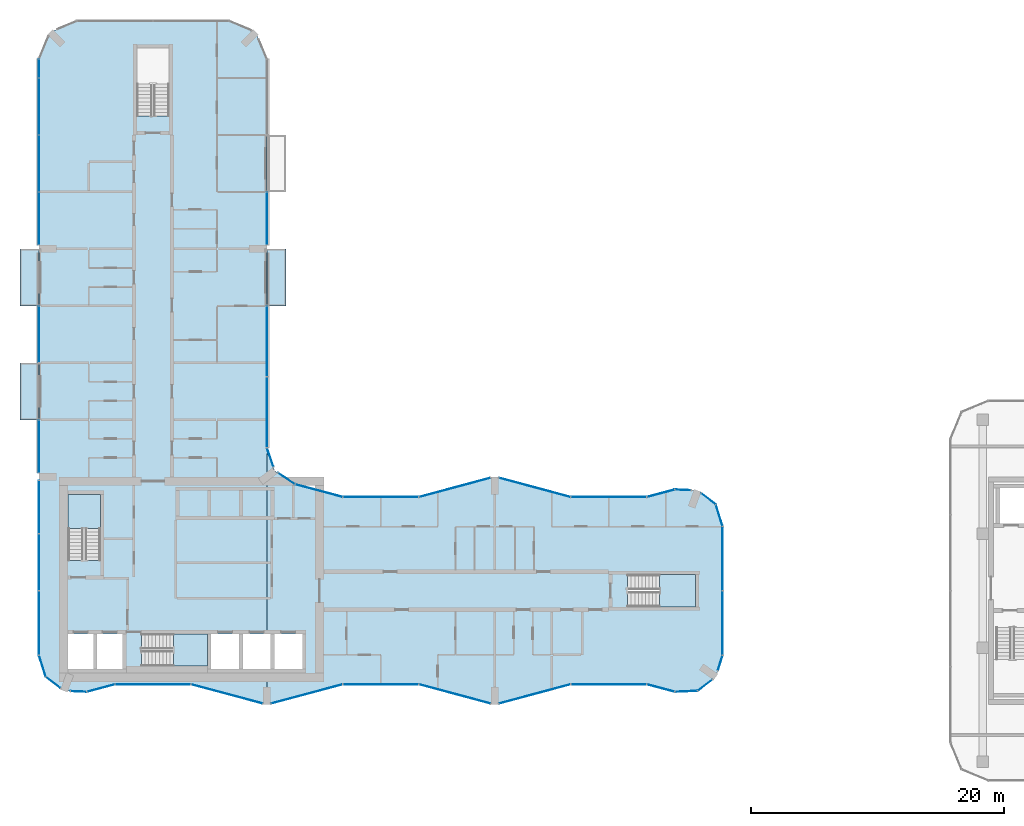
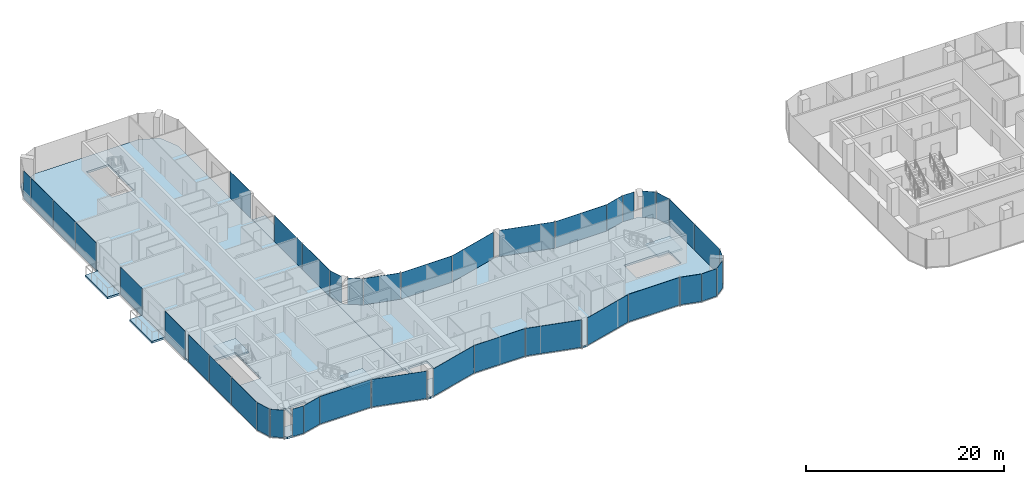
# One storey, part 11 of 23: 40 plates, 8 slabs, 36 elements without a shape of their own.
"""IFC4 building model written with IfcOpenShell, lengths in metres."""

from ifc_helpers import new_model, si_unit, direction, frame, origin, origin_2d, place, context, subcontext, project, spatial, polyline, rectangle, outline, extrude, material, layer, layer_set, type_object, element, aggregate, save


model = new_model("IFC4")

# Units and contexts
model_context = context("Model", 3, precision=1e-05, world=origin(), true_north=direction((0.0, 1.0)))
body_context = subcontext(model_context, "Body", "Model", "MODEL_VIEW")
ifc_project = project(units=[si_unit("LENGTHUNIT", "METRE"), si_unit("AREAUNIT", "SQUARE_METRE"), si_unit("VOLUMEUNIT", "CUBIC_METRE"), si_unit("PLANEANGLEUNIT", "RADIAN"), si_unit("MASSUNIT", "GRAM", prefix="KILO")], contexts=[model_context])

# Site, building, storey
site_placement = place(None, origin())
site = spatial("IfcSite", under=ifc_project, at=site_placement, CompositionType="ELEMENT")
building_placement = place(site_placement, origin())
building = spatial("IfcBuilding", under=site, at=building_placement, Name="Plateau Cross Towers", CompositionType="ELEMENT")
storey_placement = place(building_placement, frame((0.0, 0.0, 95.800048828125)))
storey = spatial("IfcBuildingStorey", under=building, at=storey_placement, Name="L24", CompositionType="ELEMENT", Elevation=95.800048828125)

# Slabs
ifc_material_1 = material(Name="Concrete C40/50", Category="concrete")
ifc_layer_1 = layer(ifc_material_1, 0.25)
ifc_layer_set_1 = layer_set([ifc_layer_1], Name="Concrete C40/50")
slab_type_1 = type_object("IfcSlabType", Name="Balcony slab 250", PredefinedType="FLOOR", material=ifc_layer_set_1)
slab_1_placement = place(storey_placement, frame((0.0, 0.0, -0.25)))
element("IfcSlab", 1, at=slab_1_placement, inside=storey, type_object=slab_type_1, Name="Balcony slab A-BAL-L24-01", PredefinedType="FLOOR", context=body_context, shape_type="SweptSolid", body=[
    extrude(outline(polyline([(0.0, 22.5), (0.0, 27.0), (-1.5, 27.0), (-1.5, 22.5), (0.0, 22.5)])), origin(), (0.0, 0.0, 1.0), 0.25),
])
slab_2_placement = place(storey_placement, frame((0.0, 0.0, -0.25)))
element("IfcSlab", 2, at=slab_2_placement, inside=storey, type_object=slab_type_1, Name="Balcony slab A-BAL-L24-02", PredefinedType="FLOOR", context=body_context, shape_type="SweptSolid", body=[
    extrude(outline(polyline([(0.0, 31.5), (0.0, 36.0), (-1.5, 36.0), (-1.5, 31.5), (0.0, 31.5)])), origin(), (0.0, 0.0, 1.0), 0.25),
])
slab_3_placement = place(storey_placement, frame((0.0, 0.0, -0.25)))
element("IfcSlab", 3, at=slab_3_placement, inside=storey, type_object=slab_type_1, Name="Balcony slab A-BAL-L24-03", PredefinedType="FLOOR", context=body_context, shape_type="SweptSolid", body=[
    extrude(outline(polyline([(19.5, 31.5), (19.5, 36.0), (18.0, 36.0), (18.0, 31.5), (19.5, 31.5)])), origin(), (0.0, 0.0, 1.0), 0.25),
])

# Curtain wall, plate
ifc_material_2 = material(Name="Dark low-iron glass", Category="glass")
ifc_layer_2 = layer(ifc_material_2, 0.239990234375)
ifc_layer_set_2 = layer_set([ifc_layer_2], Name="Dark low-iron glass")
curtain_wall_type_1 = type_object("IfcCurtainWallType", Name="Curtain wall flush unitised CW-B", PredefinedType="NOTDEFINED", material=ifc_layer_set_2)
curtain_wall_1_placement = place(storey_placement, origin())
curtain_wall_1 = element("IfcCurtainWall", 4, at=curtain_wall_1_placement, inside=storey, type_object=curtain_wall_type_1, Name="ENV/A/L24/A502_10", PredefinedType="NOTDEFINED")
ifc_layer_3 = layer(ifc_material_2, 0.031982421875)
ifc_layer_set_3 = layer_set([ifc_layer_3], Name="Dark low-iron glass")
plate_type_1 = type_object("IfcPlateType", Name="Glass panel 32 flush unitised", PredefinedType="CURTAIN_PANEL", material=ifc_layer_set_3)
plate_1_placement = place(storey_placement, frame((51.125, 1.05078125, -0.1298828125), z_axis=(0.0, 0.0, 1.0), x_axis=(0.999043701491, 0.043722791671, 0.0)))
plate_1 = element("IfcPlate", 5, at=plate_1_placement, type_object=plate_type_1, Name="CW-B panel 1", PredefinedType="CURTAIN_PANEL", context=body_context, shape_type="SweptSolid", body=[
    extrude(rectangle(XDim=1.744140625, YDim=0.031982421875, at=origin_2d()), origin(), (0.0, 0.0, 1.0), 3.3798828125),
])
aggregate(curtain_wall_1, [plate_1])

curtain_wall_2_placement = place(storey_placement, origin())
curtain_wall_2 = element("IfcCurtainWall", 6, at=curtain_wall_2_placement, inside=storey, type_object=curtain_wall_type_1, Name="ENV/A/L24/A520_11", PredefinedType="NOTDEFINED")
plate_2_placement = place(storey_placement, frame((52.60986328125, 1.5380859375, -0.1298828125), z_axis=(0.0, 0.0, 1.0), x_axis=(0.793315514529, 0.608810721331, 0.0)))
plate_2 = element("IfcPlate", 7, at=plate_2_placement, type_object=plate_type_1, Name="CW-B panel 1", PredefinedType="CURTAIN_PANEL", context=body_context, shape_type="SweptSolid", body=[
    extrude(rectangle(XDim=1.41162109375, YDim=0.031982421875, at=origin_2d()), origin(), (0.0, 0.0, 1.0), 3.3798828125),
])
aggregate(curtain_wall_2, [plate_2])

curtain_wall_3_placement = place(storey_placement, origin())
curtain_wall_3 = element("IfcCurtainWall", 8, at=curtain_wall_3_placement, inside=storey, type_object=curtain_wall_type_1, Name="ENV/A/L24/A536_27", PredefinedType="NOTDEFINED")
plate_3_placement = place(storey_placement, frame((53.805419921875, 3.292236328125, -0.1298828125), z_axis=(0.0, 0.0, 1.0), x_axis=(0.300686174994, 0.95372313811, 0.0)))
plate_3 = element("IfcPlate", 9, at=plate_3_placement, type_object=plate_type_1, Name="CW-B panel 1", PredefinedType="CURTAIN_PANEL", context=body_context, shape_type="SweptSolid", body=[
    extrude(rectangle(XDim=1.233642578125, YDim=0.031982421875, at=origin_2d()), origin(), (0.0, 0.0, 1.0), 3.3798828125),
])
aggregate(curtain_wall_3, [plate_3])

# Curtain wall, plates
curtain_wall_4_placement = place(storey_placement, origin())
curtain_wall_4 = element("IfcCurtainWall", 10, at=curtain_wall_4_placement, inside=storey, type_object=curtain_wall_type_1, Name="ENV/A/L24/A540_39", PredefinedType="NOTDEFINED")
plate_4_placement = place(storey_placement, frame((54.0, 6.45458984375, -0.1298828125), z_axis=(0.0, 0.0, 1.0), x_axis=(0.0, 1.0, 0.0)))
plate_4 = element("IfcPlate", 11, at=plate_4_placement, type_object=plate_type_1, Name="CW-B panel 1", PredefinedType="CURTAIN_PANEL", context=body_context, shape_type="SweptSolid", body=[
    extrude(rectangle(XDim=5.03076171875, YDim=0.031982421875, at=origin_2d()), origin(), (0.0, 0.0, 1.0), 3.3798828125),
])
plate_5_placement = place(storey_placement, frame((54.0, 11.54541015625, -0.1298828125), z_axis=(0.0, 0.0, 1.0), x_axis=(0.0, 1.0, 0.0)))
plate_5 = element("IfcPlate", 12, at=plate_5_placement, type_object=plate_type_1, Name="CW-B panel 2", PredefinedType="CURTAIN_PANEL", context=body_context, shape_type="SweptSolid", body=[
    extrude(rectangle(XDim=5.03076171875, YDim=0.031982421875, at=origin_2d()), origin(), (0.0, 0.0, 1.0), 3.3798828125),
])
aggregate(curtain_wall_4, [plate_4, plate_5])

# Curtain wall, plate
curtain_wall_5_placement = place(storey_placement, origin())
curtain_wall_5 = element("IfcCurtainWall", 13, at=curtain_wall_5_placement, inside=storey, type_object=curtain_wall_type_1, Name="ENV/A/L24/A540_141", PredefinedType="NOTDEFINED")
plate_6_placement = place(storey_placement, frame((53.728759765625, 14.951171875, -0.1298828125), z_axis=(0.0, 0.0, 1.0), x_axis=(-0.300686174994, 0.95372313811, 0.0)))
plate_6 = element("IfcPlate", 14, at=plate_6_placement, type_object=plate_type_1, Name="CW-B panel 1", PredefinedType="CURTAIN_PANEL", context=body_context, shape_type="SweptSolid", body=[
    extrude(rectangle(XDim=1.744140625, YDim=0.031982421875, at=origin_2d()), origin(), (0.0, 0.0, 1.0), 3.3798828125),
])
aggregate(curtain_wall_5, [plate_6])

curtain_wall_6_placement = place(storey_placement, origin())
curtain_wall_6 = element("IfcCurtainWall", 15, at=curtain_wall_6_placement, inside=storey, type_object=curtain_wall_type_1, Name="ENV/A/L24/A535_158", PredefinedType="NOTDEFINED")
plate_7_placement = place(storey_placement, frame((52.873779296875, 16.25927734375, -0.1298828125), z_axis=(0.0, 0.0, 1.0), x_axis=(-0.793315514529, 0.608810721331, 0.0)))
plate_7 = element("IfcPlate", 16, at=plate_7_placement, type_object=plate_type_1, Name="CW-B panel 1", PredefinedType="CURTAIN_PANEL", context=body_context, shape_type="SweptSolid", body=[
    extrude(rectangle(XDim=1.41162109375, YDim=0.031982421875, at=origin_2d()), origin(), (0.0, 0.0, 1.0), 3.3798828125),
])
aggregate(curtain_wall_6, [plate_7])

curtain_wall_7_placement = place(storey_placement, origin())
curtain_wall_7 = element("IfcCurtainWall", 17, at=curtain_wall_7_placement, inside=storey, type_object=curtain_wall_type_1, Name="ENV/A/L24/A515_169", PredefinedType="NOTDEFINED")
plate_8_placement = place(storey_placement, frame((50.8701171875, 16.96044921875, -0.1298828125), z_axis=(0.0, 0.0, 1.0), x_axis=(-0.999043701491, 0.043722791671, 0.0)))
plate_8 = element("IfcPlate", 18, at=plate_8_placement, type_object=plate_type_1, Name="CW-B panel 1", PredefinedType="CURTAIN_PANEL", context=body_context, shape_type="SweptSolid", body=[
    extrude(rectangle(XDim=1.233642578125, YDim=0.031982421875, at=origin_2d()), origin(), (0.0, 0.0, 1.0), 3.3798828125),
])
aggregate(curtain_wall_7, [plate_8])

curtain_wall_8_placement = place(storey_placement, origin())
curtain_wall_8 = element("IfcCurtainWall", 19, at=curtain_wall_8_placement, inside=storey, type_object=curtain_wall_type_1, Name="ENV/A/L24/A202_174", PredefinedType="NOTDEFINED")
plate_9_placement = place(storey_placement, frame((19.546630859375, 17.856689453125, -0.1298828125), z_axis=(0.0, 0.0, 1.0), x_axis=(-0.831521253329, 0.555492938984, 0.0)))
plate_9 = element("IfcPlate", 20, at=plate_9_placement, type_object=plate_type_1, Name="CW-B panel 1", PredefinedType="CURTAIN_PANEL", context=body_context, shape_type="SweptSolid", body=[
    extrude(rectangle(XDim=1.56884765625, YDim=0.031982421875, at=origin_2d()), origin(), (0.0, 0.0, 1.0), 3.3798828125),
])
aggregate(curtain_wall_8, [plate_9])

curtain_wall_9_placement = place(storey_placement, origin())
curtain_wall_9 = element("IfcCurtainWall", 21, at=curtain_wall_9_placement, inside=storey, type_object=curtain_wall_type_1, Name="ENV/A/L24/A185_188", PredefinedType="NOTDEFINED")
plate_10_placement = place(storey_placement, frame((18.26171875, 19.531005859375, -0.1298828125), z_axis=(0.0, 0.0, 1.0), x_axis=(-0.321469161574, 0.94692004845, 0.0)))
plate_10 = element("IfcPlate", 22, at=plate_10_placement, type_object=plate_type_1, Name="CW-B panel 1", PredefinedType="CURTAIN_PANEL", context=body_context, shape_type="SweptSolid", body=[
    extrude(rectangle(XDim=1.56884765625, YDim=0.031982421875, at=origin_2d()), origin(), (0.0, 0.0, 1.0), 3.3798828125),
])
aggregate(curtain_wall_9, [plate_10])

# Curtain wall, plates
curtain_wall_10_placement = place(storey_placement, origin())
curtain_wall_10 = element("IfcCurtainWall", 23, at=curtain_wall_10_placement, inside=storey, type_object=curtain_wall_type_1, Name="ENV/A/L24/A180_203", PredefinedType="NOTDEFINED")
plate_11_placement = place(storey_placement, frame((18.0, 23.09912109375, -0.1298828125), z_axis=(0.0, 0.0, 1.0), x_axis=(0.0, 1.0, 0.0)))
plate_11 = element("IfcPlate", 24, at=plate_11_placement, type_object=plate_type_1, Name="CW-B panel 1", PredefinedType="CURTAIN_PANEL", context=body_context, shape_type="SweptSolid", body=[
    extrude(rectangle(XDim=5.533935546875, YDim=0.031982421875, at=origin_2d()), origin(), (0.0, 0.0, 1.0), 3.3798828125),
])
plate_12_placement = place(storey_placement, frame((18.0, 28.693115234375, -0.1298828125), z_axis=(0.0, 0.0, 1.0), x_axis=(0.0, 1.0, 0.0)))
plate_12 = element("IfcPlate", 25, at=plate_12_placement, type_object=plate_type_1, Name="CW-B panel 2", PredefinedType="CURTAIN_PANEL", context=body_context, shape_type="SweptSolid", body=[
    extrude(rectangle(XDim=5.533935546875, YDim=0.031982421875, at=origin_2d()), origin(), (0.0, 0.0, 1.0), 3.3798828125),
])
aggregate(curtain_wall_10, [plate_11, plate_12])

# Curtain wall, plate
curtain_wall_11_placement = place(storey_placement, origin())
curtain_wall_11 = element("IfcCurtainWall", 26, at=curtain_wall_11_placement, inside=storey, type_object=curtain_wall_type_1, Name="ENV/A/L24/A180_363", PredefinedType="NOTDEFINED")
plate_13_placement = place(storey_placement, frame((18.0, 38.39501953125, -0.1298828125), z_axis=(0.0, 0.0, 1.0), x_axis=(0.0, 1.0, 0.0)))
plate_13 = element("IfcPlate", 27, at=plate_13_placement, type_object=plate_type_1, Name="CW-B panel 1", PredefinedType="CURTAIN_PANEL", context=body_context, shape_type="SweptSolid", body=[
    extrude(rectangle(XDim=4.1298828125, YDim=0.031982421875, at=origin_2d()), origin(), (0.0, 0.0, 1.0), 3.3798828125),
])
aggregate(curtain_wall_11, [plate_13])

# Curtain wall, plates
curtain_wall_12_placement = place(storey_placement, origin())
curtain_wall_12 = element("IfcCurtainWall", 28, at=curtain_wall_12_placement, inside=storey, type_object=curtain_wall_type_1, Name="ENV/A/L24/A0_510", PredefinedType="NOTDEFINED")
plate_14_placement = place(storey_placement, frame((0.0, 50.25, -0.1298828125), z_axis=(0.0, 0.0, 1.0), x_axis=(0.0, -1.0, 0.0)))
plate_14 = element("IfcPlate", 29, at=plate_14_placement, type_object=plate_type_1, Name="CW-B panel 1", PredefinedType="CURTAIN_PANEL", context=body_context, shape_type="SweptSolid", body=[
    extrude(rectangle(XDim=1.43994140625, YDim=0.031982421875, at=origin_2d()), origin(), (0.0, 0.0, 1.0), 3.3798828125),
])
plate_15_placement = place(storey_placement, frame((0.0, 47.25, -0.1298828125), z_axis=(0.0, 0.0, 1.0), x_axis=(0.0, -1.0, 0.0)))
plate_15 = element("IfcPlate", 30, at=plate_15_placement, type_object=plate_type_1, Name="CW-B panel 2", PredefinedType="CURTAIN_PANEL", context=body_context, shape_type="SweptSolid", body=[
    extrude(rectangle(XDim=4.43994140625, YDim=0.031982421875, at=origin_2d()), origin(), (0.0, 0.0, 1.0), 3.3798828125),
])
plate_16_placement = place(storey_placement, frame((0.0, 42.75, -0.1298828125), z_axis=(0.0, 0.0, 1.0), x_axis=(0.0, -1.0, 0.0)))
plate_16 = element("IfcPlate", 31, at=plate_16_placement, type_object=plate_type_1, Name="CW-B panel 3", PredefinedType="CURTAIN_PANEL", context=body_context, shape_type="SweptSolid", body=[
    extrude(rectangle(XDim=4.43994140625, YDim=0.031982421875, at=origin_2d()), origin(), (0.0, 0.0, 1.0), 3.3798828125),
])
plate_17_placement = place(storey_placement, frame((0.0, 38.39990234375, -0.1298828125), z_axis=(0.0, 0.0, 1.0), x_axis=(0.0, -1.0, 0.0)))
plate_17 = element("IfcPlate", 32, at=plate_17_placement, type_object=plate_type_1, Name="CW-B panel 4", PredefinedType="CURTAIN_PANEL", context=body_context, shape_type="SweptSolid", body=[
    extrude(rectangle(XDim=4.139892578125, YDim=0.031982421875, at=origin_2d()), origin(), (0.0, 0.0, 1.0), 3.3798828125),
])
aggregate(curtain_wall_12, [plate_14, plate_15, plate_16, plate_17])

# Curtain wall, plate
curtain_wall_13_placement = place(storey_placement, origin())
curtain_wall_13 = element("IfcCurtainWall", 33, at=curtain_wall_13_placement, inside=storey, type_object=curtain_wall_type_1, Name="ENV/A/L24/A0_315", PredefinedType="NOTDEFINED")
plate_18_placement = place(storey_placement, frame((0.0, 29.25, -0.1298828125), z_axis=(0.0, 0.0, 1.0), x_axis=(0.0, -1.0, 0.0)))
plate_18 = element("IfcPlate", 34, at=plate_18_placement, type_object=plate_type_1, Name="CW-B panel 1", PredefinedType="CURTAIN_PANEL", context=body_context, shape_type="SweptSolid", body=[
    extrude(rectangle(XDim=4.419921875, YDim=0.031982421875, at=origin_2d()), origin(), (0.0, 0.0, 1.0), 3.3798828125),
])
aggregate(curtain_wall_13, [plate_18])

curtain_wall_14_placement = place(storey_placement, origin())
curtain_wall_14 = element("IfcCurtainWall", 35, at=curtain_wall_14_placement, inside=storey, type_object=curtain_wall_type_1, Name="ENV/A/L24/A0_225", PredefinedType="NOTDEFINED")
plate_19_placement = place(storey_placement, frame((0.0, 20.39501953125, -0.1298828125), z_axis=(0.0, 0.0, 1.0), x_axis=(0.0, -1.0, 0.0)))
plate_19 = element("IfcPlate", 36, at=plate_19_placement, type_object=plate_type_1, Name="CW-B panel 1", PredefinedType="CURTAIN_PANEL", context=body_context, shape_type="SweptSolid", body=[
    extrude(rectangle(XDim=4.1298828125, YDim=0.031982421875, at=origin_2d()), origin(), (0.0, 0.0, 1.0), 3.3798828125),
])
aggregate(curtain_wall_14, [plate_19])

# Curtain wall, plates
curtain_wall_15_placement = place(storey_placement, origin())
curtain_wall_15 = element("IfcCurtainWall", 37, at=curtain_wall_15_placement, inside=storey, type_object=curtain_wall_type_1, Name="ENV/A/L24/A0_177", PredefinedType="NOTDEFINED")
plate_20_placement = place(storey_placement, frame((0.0, 15.60009765625, -0.1298828125), z_axis=(0.0, 0.0, 1.0), x_axis=(0.0, -1.0, 0.0)))
plate_20 = element("IfcPlate", 38, at=plate_20_placement, type_object=plate_type_1, Name="CW-B panel 1", PredefinedType="CURTAIN_PANEL", context=body_context, shape_type="SweptSolid", body=[
    extrude(rectangle(XDim=4.139892578125, YDim=0.031982421875, at=origin_2d()), origin(), (0.0, 0.0, 1.0), 3.3798828125),
])
plate_21_placement = place(storey_placement, frame((0.0, 11.25, -0.1298828125), z_axis=(0.0, 0.0, 1.0), x_axis=(0.0, -1.0, 0.0)))
plate_21 = element("IfcPlate", 39, at=plate_21_placement, type_object=plate_type_1, Name="CW-B panel 2", PredefinedType="CURTAIN_PANEL", context=body_context, shape_type="SweptSolid", body=[
    extrude(rectangle(XDim=4.43994140625, YDim=0.031982421875, at=origin_2d()), origin(), (0.0, 0.0, 1.0), 3.3798828125),
])
plate_22_placement = place(storey_placement, frame((0.0, 6.45458984375, -0.1298828125), z_axis=(0.0, 0.0, 1.0), x_axis=(0.0, -1.0, 0.0)))
plate_22 = element("IfcPlate", 40, at=plate_22_placement, type_object=plate_type_1, Name="CW-B panel 3", PredefinedType="CURTAIN_PANEL", context=body_context, shape_type="SweptSolid", body=[
    extrude(rectangle(XDim=5.03076171875, YDim=0.031982421875, at=origin_2d()), origin(), (0.0, 0.0, 1.0), 3.3798828125),
])
aggregate(curtain_wall_15, [plate_20, plate_21, plate_22])

# Curtain wall, plate
curtain_wall_16_placement = place(storey_placement, origin())
curtain_wall_16 = element("IfcCurtainWall", 41, at=curtain_wall_16_placement, inside=storey, type_object=curtain_wall_type_1, Name="ENV/A/L24/A0_39", PredefinedType="NOTDEFINED")
plate_23_placement = place(storey_placement, frame((0.271240234375, 3.048828125, -0.1298828125), z_axis=(0.0, 0.0, 1.0), x_axis=(0.300686174994, -0.95372313811, 0.0)))
plate_23 = element("IfcPlate", 42, at=plate_23_placement, type_object=plate_type_1, Name="CW-B panel 1", PredefinedType="CURTAIN_PANEL", context=body_context, shape_type="SweptSolid", body=[
    extrude(rectangle(XDim=1.744140625, YDim=0.031982421875, at=origin_2d()), origin(), (0.0, 0.0, 1.0), 3.3798828125),
])
aggregate(curtain_wall_16, [plate_23])

curtain_wall_17_placement = place(storey_placement, origin())
curtain_wall_17 = element("IfcCurtainWall", 43, at=curtain_wall_17_placement, inside=storey, type_object=curtain_wall_type_1, Name="ENV/A/L24/A5_22", PredefinedType="NOTDEFINED")
plate_24_placement = place(storey_placement, frame((1.126220703125, 1.74072265625, -0.1298828125), z_axis=(0.0, 0.0, 1.0), x_axis=(0.793315514529, -0.608810721331, 0.0)))
plate_24 = element("IfcPlate", 44, at=plate_24_placement, type_object=plate_type_1, Name="CW-B panel 1", PredefinedType="CURTAIN_PANEL", context=body_context, shape_type="SweptSolid", body=[
    extrude(rectangle(XDim=1.41162109375, YDim=0.031982421875, at=origin_2d()), origin(), (0.0, 0.0, 1.0), 3.3798828125),
])
aggregate(curtain_wall_17, [plate_24])

curtain_wall_18_placement = place(storey_placement, origin())
curtain_wall_18 = element("IfcCurtainWall", 45, at=curtain_wall_18_placement, inside=storey, type_object=curtain_wall_type_1, Name="ENV/A/L24/A25_11", PredefinedType="NOTDEFINED")
plate_25_placement = place(storey_placement, frame((3.1298828125, 1.03955078125, -0.1298828125), z_axis=(0.0, 0.0, 1.0), x_axis=(0.999043701491, -0.043722791671, 0.0)))
plate_25 = element("IfcPlate", 46, at=plate_25_placement, type_object=plate_type_1, Name="CW-B panel 1", PredefinedType="CURTAIN_PANEL", context=body_context, shape_type="SweptSolid", body=[
    extrude(rectangle(XDim=1.233642578125, YDim=0.031982421875, at=origin_2d()), origin(), (0.0, 0.0, 1.0), 3.3798828125),
])
aggregate(curtain_wall_18, [plate_25])

ifc_layer_4 = layer(ifc_material_2, 0.260009765625)
ifc_layer_set_4 = layer_set([ifc_layer_4], Name="Dark low-iron glass")
curtain_wall_type_2 = type_object("IfcCurtainWallType", Name="Curtain wall fluted unitised CW-A", PredefinedType="NOTDEFINED", material=ifc_layer_set_4)
curtain_wall_19_placement = place(storey_placement, origin())
curtain_wall_19 = element("IfcCurtainWall", 47, at=curtain_wall_19_placement, inside=storey, type_object=curtain_wall_type_2, Name="ENV/A/L24/A38_10", PredefinedType="NOTDEFINED")
ifc_layer_5 = layer(ifc_material_2, 0.035888671875)
ifc_layer_set_5 = layer_set([ifc_layer_5], Name="Dark low-iron glass")
plate_type_2 = type_object("IfcPlateType", Name="Glass panel 36 fluted unitised", PredefinedType="CURTAIN_PANEL", material=ifc_layer_set_5)
plate_26_placement = place(storey_placement, frame((4.887939453125, 1.30908203125, -0.1298828125), z_axis=(0.0, 0.0, 1.0), x_axis=(0.965957962328, 0.258699081978, 0.0)))
plate_26 = element("IfcPlate", 48, at=plate_26_placement, type_object=plate_type_2, Name="CW-A panel 1", PredefinedType="CURTAIN_PANEL", context=body_context, shape_type="SweptSolid", body=[
    extrude(rectangle(XDim=2.2421875, YDim=0.035888671875, at=origin_2d()), origin(), (0.0, 0.0, 1.0), 3.3798828125),
])
aggregate(curtain_wall_19, [plate_26])

curtain_wall_20_placement = place(storey_placement, origin())
curtain_wall_20 = element("IfcCurtainWall", 49, at=curtain_wall_20_placement, inside=storey, type_object=curtain_wall_type_2, Name="ENV/A/L24/A60_16", PredefinedType="NOTDEFINED")
plate_27_placement = place(storey_placement, frame((9.0, 1.60693359375, -0.1298828125), z_axis=(0.0, 0.0, 1.0), x_axis=(1.0, 0.0, 0.0)))
plate_27 = element("IfcPlate", 50, at=plate_27_placement, type_object=plate_type_2, Name="CW-A panel 1", PredefinedType="CURTAIN_PANEL", context=body_context, shape_type="SweptSolid", body=[
    extrude(rectangle(XDim=5.93994140625, YDim=0.035888671875, at=origin_2d()), origin(), (0.0, 0.0, 1.0), 3.3798828125),
])
aggregate(curtain_wall_20, [plate_27])

curtain_wall_21_placement = place(storey_placement, origin())
curtain_wall_21 = element("IfcCurtainWall", 51, at=curtain_wall_21_placement, inside=storey, type_object=curtain_wall_type_2, Name="ENV/A/L24/A120_16", PredefinedType="NOTDEFINED")
plate_28_placement = place(storey_placement, frame((14.841064453125, 0.845947265625, -0.1298828125), z_axis=(0.0, 0.0, 1.0), x_axis=(0.965957983404, -0.258699003279, 0.0)))
plate_28 = element("IfcPlate", 52, at=plate_28_placement, type_object=plate_type_2, Name="CW-A panel 1", PredefinedType="CURTAIN_PANEL", context=body_context, shape_type="SweptSolid", body=[
    extrude(rectangle(XDim=5.822265625, YDim=0.035888671875, at=origin_2d()), origin(), (0.0, 0.0, 1.0), 3.3798828125),
])
aggregate(curtain_wall_21, [plate_28])

curtain_wall_22_placement = place(storey_placement, origin())
curtain_wall_22 = element("IfcCurtainWall", 53, at=curtain_wall_22_placement, inside=storey, type_object=curtain_wall_type_2, Name="ENV/A/L24/A183_1", PredefinedType="NOTDEFINED")
plate_29_placement = place(storey_placement, frame((21.158935546875, 0.845947265625, -0.1298828125), z_axis=(0.0, 0.0, 1.0), x_axis=(0.965957983404, 0.258699003279, 0.0)))
plate_29 = element("IfcPlate", 54, at=plate_29_placement, type_object=plate_type_2, Name="CW-A panel 1", PredefinedType="CURTAIN_PANEL", context=body_context, shape_type="SweptSolid", body=[
    extrude(rectangle(XDim=5.822265625, YDim=0.035888671875, at=origin_2d()), origin(), (0.0, 0.0, 1.0), 3.3798828125),
])
aggregate(curtain_wall_22, [plate_29])

curtain_wall_23_placement = place(storey_placement, origin())
curtain_wall_23 = element("IfcCurtainWall", 55, at=curtain_wall_23_placement, inside=storey, type_object=curtain_wall_type_2, Name="ENV/A/L24/A240_16", PredefinedType="NOTDEFINED")
plate_30_placement = place(storey_placement, frame((27.0, 1.60693359375, -0.1298828125), z_axis=(0.0, 0.0, 1.0), x_axis=(1.0, 0.0, 0.0)))
plate_30 = element("IfcPlate", 56, at=plate_30_placement, type_object=plate_type_2, Name="CW-A panel 1", PredefinedType="CURTAIN_PANEL", context=body_context, shape_type="SweptSolid", body=[
    extrude(rectangle(XDim=5.93994140625, YDim=0.035888671875, at=origin_2d()), origin(), (0.0, 0.0, 1.0), 3.3798828125),
])
aggregate(curtain_wall_23, [plate_30])

curtain_wall_24_placement = place(storey_placement, origin())
curtain_wall_24 = element("IfcCurtainWall", 57, at=curtain_wall_24_placement, inside=storey, type_object=curtain_wall_type_2, Name="ENV/A/L24/A300_16", PredefinedType="NOTDEFINED")
plate_31_placement = place(storey_placement, frame((32.841064453125, 0.845947265625, -0.1298828125), z_axis=(0.0, 0.0, 1.0), x_axis=(0.965957983404, -0.258699003279, 0.0)))
plate_31 = element("IfcPlate", 58, at=plate_31_placement, type_object=plate_type_2, Name="CW-A panel 1", PredefinedType="CURTAIN_PANEL", context=body_context, shape_type="SweptSolid", body=[
    extrude(rectangle(XDim=5.822265625, YDim=0.035888671875, at=origin_2d()), origin(), (0.0, 0.0, 1.0), 3.3798828125),
])
aggregate(curtain_wall_24, [plate_31])

curtain_wall_25_placement = place(storey_placement, origin())
curtain_wall_25 = element("IfcCurtainWall", 59, at=curtain_wall_25_placement, inside=storey, type_object=curtain_wall_type_2, Name="ENV/A/L24/A363_1", PredefinedType="NOTDEFINED")
plate_32_placement = place(storey_placement, frame((39.158935546875, 0.845947265625, -0.1298828125), z_axis=(0.0, 0.0, 1.0), x_axis=(0.965957983404, 0.258699003279, 0.0)))
plate_32 = element("IfcPlate", 60, at=plate_32_placement, type_object=plate_type_2, Name="CW-A panel 1", PredefinedType="CURTAIN_PANEL", context=body_context, shape_type="SweptSolid", body=[
    extrude(rectangle(XDim=5.822265625, YDim=0.035888671875, at=origin_2d()), origin(), (0.0, 0.0, 1.0), 3.3798828125),
])
aggregate(curtain_wall_25, [plate_32])

curtain_wall_26_placement = place(storey_placement, origin())
curtain_wall_26 = element("IfcCurtainWall", 61, at=curtain_wall_26_placement, inside=storey, type_object=curtain_wall_type_2, Name="ENV/A/L24/A420_16", PredefinedType="NOTDEFINED")
plate_33_placement = place(storey_placement, frame((45.0, 1.60693359375, -0.1298828125), z_axis=(0.0, 0.0, 1.0), x_axis=(1.0, 0.0, 0.0)))
plate_33 = element("IfcPlate", 62, at=plate_33_placement, type_object=plate_type_2, Name="CW-A panel 1", PredefinedType="CURTAIN_PANEL", context=body_context, shape_type="SweptSolid", body=[
    extrude(rectangle(XDim=5.93994140625, YDim=0.035888671875, at=origin_2d()), origin(), (0.0, 0.0, 1.0), 3.3798828125),
])
aggregate(curtain_wall_26, [plate_33])

curtain_wall_27_placement = place(storey_placement, origin())
curtain_wall_27 = element("IfcCurtainWall", 63, at=curtain_wall_27_placement, inside=storey, type_object=curtain_wall_type_2, Name="ENV/A/L24/A480_16", PredefinedType="NOTDEFINED")
plate_34_placement = place(storey_placement, frame((49.112060546875, 1.30908203125, -0.1298828125), z_axis=(0.0, 0.0, 1.0), x_axis=(0.965957962328, -0.258699081978, 0.0)))
plate_34 = element("IfcPlate", 64, at=plate_34_placement, type_object=plate_type_2, Name="CW-A panel 1", PredefinedType="CURTAIN_PANEL", context=body_context, shape_type="SweptSolid", body=[
    extrude(rectangle(XDim=2.2421875, YDim=0.035888671875, at=origin_2d()), origin(), (0.0, 0.0, 1.0), 3.3798828125),
])
aggregate(curtain_wall_27, [plate_34])

curtain_wall_28_placement = place(storey_placement, origin())
curtain_wall_28 = element("IfcCurtainWall", 65, at=curtain_wall_28_placement, inside=storey, type_object=curtain_wall_type_2, Name="ENV/A/L24/A502_170", PredefinedType="NOTDEFINED")
plate_35_placement = place(storey_placement, frame((49.112060546875, 16.69091796875, -0.1298828125), z_axis=(0.0, 0.0, 1.0), x_axis=(-0.965957962328, -0.258699081978, 0.0)))
plate_35 = element("IfcPlate", 66, at=plate_35_placement, type_object=plate_type_2, Name="CW-A panel 1", PredefinedType="CURTAIN_PANEL", context=body_context, shape_type="SweptSolid", body=[
    extrude(rectangle(XDim=2.2421875, YDim=0.035888671875, at=origin_2d()), origin(), (0.0, 0.0, 1.0), 3.3798828125),
])
aggregate(curtain_wall_28, [plate_35])

curtain_wall_29_placement = place(storey_placement, origin())
curtain_wall_29 = element("IfcCurtainWall", 67, at=curtain_wall_29_placement, inside=storey, type_object=curtain_wall_type_2, Name="ENV/A/L24/A480_164", PredefinedType="NOTDEFINED")
plate_36_placement = place(storey_placement, frame((45.0, 16.39306640625, -0.1298828125), z_axis=(0.0, 0.0, 1.0), x_axis=(-1.0, 0.0, 0.0)))
plate_36 = element("IfcPlate", 68, at=plate_36_placement, type_object=plate_type_2, Name="CW-A panel 1", PredefinedType="CURTAIN_PANEL", context=body_context, shape_type="SweptSolid", body=[
    extrude(rectangle(XDim=5.93994140625, YDim=0.035888671875, at=origin_2d()), origin(), (0.0, 0.0, 1.0), 3.3798828125),
])
aggregate(curtain_wall_29, [plate_36])

curtain_wall_30_placement = place(storey_placement, origin())
curtain_wall_30 = element("IfcCurtainWall", 69, at=curtain_wall_30_placement, inside=storey, type_object=curtain_wall_type_2, Name="ENV/A/L24/A420_164", PredefinedType="NOTDEFINED")
plate_37_placement = place(storey_placement, frame((39.158935546875, 17.154052734375, -0.1298828125), z_axis=(0.0, 0.0, 1.0), x_axis=(-0.965957983404, 0.258699003279, 0.0)))
plate_37 = element("IfcPlate", 70, at=plate_37_placement, type_object=plate_type_2, Name="CW-A panel 1", PredefinedType="CURTAIN_PANEL", context=body_context, shape_type="SweptSolid", body=[
    extrude(rectangle(XDim=5.822265625, YDim=0.035888671875, at=origin_2d()), origin(), (0.0, 0.0, 1.0), 3.3798828125),
])
aggregate(curtain_wall_30, [plate_37])

curtain_wall_31_placement = place(storey_placement, origin())
curtain_wall_31 = element("IfcCurtainWall", 71, at=curtain_wall_31_placement, inside=storey, type_object=curtain_wall_type_2, Name="ENV/A/L24/A357_179", PredefinedType="NOTDEFINED")
plate_38_placement = place(storey_placement, frame((32.841064453125, 17.154052734375, -0.1298828125), z_axis=(0.0, 0.0, 1.0), x_axis=(-0.965957983404, -0.258699003279, 0.0)))
plate_38 = element("IfcPlate", 72, at=plate_38_placement, type_object=plate_type_2, Name="CW-A panel 1", PredefinedType="CURTAIN_PANEL", context=body_context, shape_type="SweptSolid", body=[
    extrude(rectangle(XDim=5.822265625, YDim=0.035888671875, at=origin_2d()), origin(), (0.0, 0.0, 1.0), 3.3798828125),
])
aggregate(curtain_wall_31, [plate_38])

curtain_wall_32_placement = place(storey_placement, origin())
curtain_wall_32 = element("IfcCurtainWall", 73, at=curtain_wall_32_placement, inside=storey, type_object=curtain_wall_type_2, Name="ENV/A/L24/A300_164", PredefinedType="NOTDEFINED")
plate_39_placement = place(storey_placement, frame((27.0, 16.39306640625, -0.1298828125), z_axis=(0.0, 0.0, 1.0), x_axis=(-1.0, 0.0, 0.0)))
plate_39 = element("IfcPlate", 74, at=plate_39_placement, type_object=plate_type_2, Name="CW-A panel 1", PredefinedType="CURTAIN_PANEL", context=body_context, shape_type="SweptSolid", body=[
    extrude(rectangle(XDim=5.93994140625, YDim=0.035888671875, at=origin_2d()), origin(), (0.0, 0.0, 1.0), 3.3798828125),
])
aggregate(curtain_wall_32, [plate_39])

curtain_wall_33_placement = place(storey_placement, origin())
curtain_wall_33 = element("IfcCurtainWall", 75, at=curtain_wall_33_placement, inside=storey, type_object=curtain_wall_type_2, Name="ENV/A/L24/A240_164", PredefinedType="NOTDEFINED")
plate_40_placement = place(storey_placement, frame((22.112060546875, 16.898681640625, -0.1298828125), z_axis=(0.0, 0.0, 1.0), x_axis=(-0.965957995816, 0.258698956933, 0.0)))
plate_40 = element("IfcPlate", 76, at=plate_40_placement, type_object=plate_type_2, Name="CW-A panel 1", PredefinedType="CURTAIN_PANEL", context=body_context, shape_type="SweptSolid", body=[
    extrude(rectangle(XDim=3.84912109375, YDim=0.035888671875, at=origin_2d()), origin(), (0.0, 0.0, 1.0), 3.3798828125),
])
aggregate(curtain_wall_33, [plate_40])

# Slabs
ifc_layer_6 = layer(ifc_material_1, 0.25)
ifc_layer_set_6 = layer_set([ifc_layer_6], Name="Concrete C40/50")
slab_type_2 = type_object("IfcSlabType", Name="Post-tensioned flat plate slab 250", PredefinedType="FLOOR", material=ifc_layer_set_6)
slab_4_placement = place(storey_placement, frame((0.0, 0.0, -0.25)))
element("IfcSlab", 77, at=slab_4_placement, inside=storey, type_object=slab_type_2, Name="SL-A-L24 1", PredefinedType="FLOOR", context=body_context, shape_type="SweptSolid", body=[
    extrude(outline(polyline([(0.54248046875, 2.1884765625), (0.0, 3.9091796875), (0.0, 51.0), (0.878662109375, 53.121337890625), (3.0, 54.0), (15.0, 54.0), (17.121337890625, 53.121337890625), (18.0, 51.0), (18.0, 20.30224609375), (18.0, 5.60009765625), (16.10009765625, 5.60009765625), (16.10009765625, 2.800048828125), (18.0, 2.800048828125), (18.0, 0.0), (12.0, 1.60693359375), (6.0, 1.60693359375), (3.776123046875, 1.01123046875), (1.9736328125, 1.090087890625), (0.54248046875, 2.1884765625)]), holes=[polyline([(4.300048828125, 5.60009765625), (2.300048828125, 5.60009765625), (2.300048828125, 2.800048828125), (4.300048828125, 2.800048828125), (4.300048828125, 5.60009765625)]), polyline([(6.60009765625, 5.60009765625), (4.60009765625, 5.60009765625), (4.60009765625, 2.800048828125), (6.60009765625, 2.800048828125), (6.60009765625, 5.60009765625)]), polyline([(15.800048828125, 5.60009765625), (13.60009765625, 5.60009765625), (13.60009765625, 2.800048828125), (15.800048828125, 2.800048828125), (15.800048828125, 5.60009765625)]), polyline([(13.300048828125, 5.60009765625), (8.10009765625, 5.60009765625), (8.10009765625, 3.050048828125), (13.300048828125, 3.050048828125), (13.300048828125, 5.60009765625)]), polyline([(4.85009765625, 16.60009765625), (2.300048828125, 16.60009765625), (2.300048828125, 11.39990234375), (4.85009765625, 11.39990234375), (4.85009765625, 16.60009765625)]), polyline([(7.72509765625, 51.699951171875), (7.72509765625, 46.5), (10.27490234375, 46.5), (10.27490234375, 51.699951171875), (7.72509765625, 51.699951171875)])]), origin(), (0.0, 0.0, 1.0), 0.25),
])
slab_5_placement = place(storey_placement, frame((0.0, 0.0, -0.25)))
element("IfcSlab", 78, at=slab_5_placement, inside=storey, type_object=slab_type_2, Name="SL-A-L24 2", PredefinedType="FLOOR", context=body_context, shape_type="SweptSolid", body=[
    extrude(outline(polyline([(18.6201171875, 18.475830078125), (20.223876953125, 17.404296875), (24.0, 16.39306640625), (30.0, 16.39306640625), (36.0, 18.0), (42.0, 16.39306640625), (48.0, 16.39306640625), (50.223876953125, 16.98876953125), (52.0263671875, 16.909912109375), (53.45751953125, 15.8115234375), (54.0, 14.0908203125), (54.0, 3.9091796875), (53.45751953125, 2.1884765625), (52.0263671875, 1.090087890625), (50.223876953125, 1.01123046875), (48.0, 1.60693359375), (42.0, 1.60693359375), (36.0, 0.0), (30.0, 1.60693359375), (24.0, 1.60693359375), (18.0, 0.0), (18.0, 2.800048828125), (18.300048828125, 2.800048828125), (18.300048828125, 5.60009765625), (18.0, 5.60009765625), (18.0, 20.30224609375), (18.6201171875, 18.475830078125)]), holes=[polyline([(20.800048828125, 5.60009765625), (18.60009765625, 5.60009765625), (18.60009765625, 2.800048828125), (20.800048828125, 2.800048828125), (20.800048828125, 5.60009765625)]), polyline([(51.699951171875, 7.72509765625), (51.699951171875, 10.27490234375), (46.5, 10.27490234375), (46.5, 7.72509765625), (51.699951171875, 7.72509765625)])]), origin(), (0.0, 0.0, 1.0), 0.25),
])

# Stair, slab
stair_type = type_object("IfcStairType", Name="ST-TWR", PredefinedType="HALF_TURN_STAIR", material=ifc_material_1)
stair_1_placement = place(storey_placement, origin())
stair_1 = element("IfcStair", 79, at=stair_1_placement, inside=storey, type_object=stair_type, Name="L24 Protected Exit Stair ST-1", PredefinedType="HALF_TURN_STAIR")
ifc_layer_7 = layer(ifc_material_1, 0.199951171875)
ifc_layer_set_7 = layer_set([ifc_layer_7], Name="Concrete C40/50")
slab_type_3 = type_object("IfcSlabType", Name="SL-LANDING", PredefinedType="LANDING", material=ifc_layer_set_7)
slab_6_placement = place(storey_placement, frame((0.0, 0.0, 1.550048828125)))
slab_6 = element("IfcSlab", 80, at=slab_6_placement, type_object=slab_type_3, Name="ST-1 landing 1", PredefinedType="LANDING", context=body_context, shape_type="SweptSolid", body=[
    extrude(outline(polyline([(4.85009765625, 13.919921875), (4.85009765625, 16.60009765625), (2.300048828125, 16.60009765625), (2.300048828125, 13.919921875), (4.85009765625, 13.919921875)])), origin(), (0.0, 0.0, 1.0), 0.199951171875),
])
aggregate(stair_1, [slab_6])

stair_2_placement = place(storey_placement, origin())
stair_2 = element("IfcStair", 81, at=stair_2_placement, inside=storey, type_object=stair_type, Name="L24 Protected Exit Stair ST-2", PredefinedType="HALF_TURN_STAIR")
slab_7_placement = place(storey_placement, frame((0.0, 0.0, 1.550048828125)))
slab_7 = element("IfcSlab", 82, at=slab_7_placement, type_object=slab_type_3, Name="ST-2 landing 1", PredefinedType="LANDING", context=body_context, shape_type="SweptSolid", body=[
    extrude(outline(polyline([(10.6201171875, 3.050048828125), (13.300048828125, 3.050048828125), (13.300048828125, 5.60009765625), (10.6201171875, 5.60009765625), (10.6201171875, 3.050048828125)])), origin(), (0.0, 0.0, 1.0), 0.199951171875),
])
aggregate(stair_2, [slab_7])

stair_3_placement = place(storey_placement, origin())
stair_3 = element("IfcStair", 83, at=stair_3_placement, inside=storey, type_object=stair_type, Name="L24 Protected Exit Stair E", PredefinedType="HALF_TURN_STAIR")
slab_8_placement = place(storey_placement, frame((0.0, 0.0, 1.550048828125)))
slab_8 = element("IfcSlab", 84, at=slab_8_placement, type_object=slab_type_3, Name="ES-E landing 1", PredefinedType="LANDING", context=body_context, shape_type="SweptSolid", body=[
    extrude(outline(polyline([(49.02001953125, 7.72509765625), (51.85009765625, 7.72509765625), (51.85009765625, 10.27490234375), (49.02001953125, 10.27490234375), (49.02001953125, 7.72509765625)])), origin(), (0.0, 0.0, 1.0), 0.199951171875),
])
aggregate(stair_3, [slab_8])

save(model, "model.ifc")
